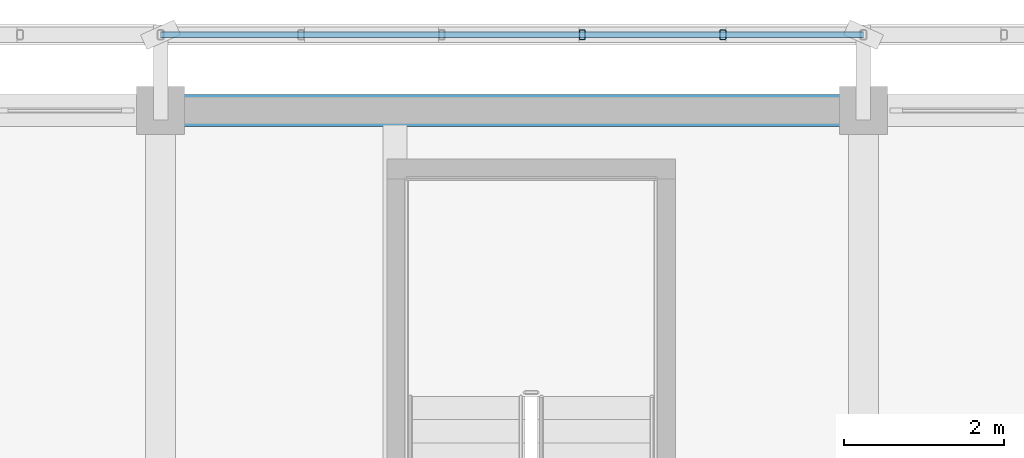
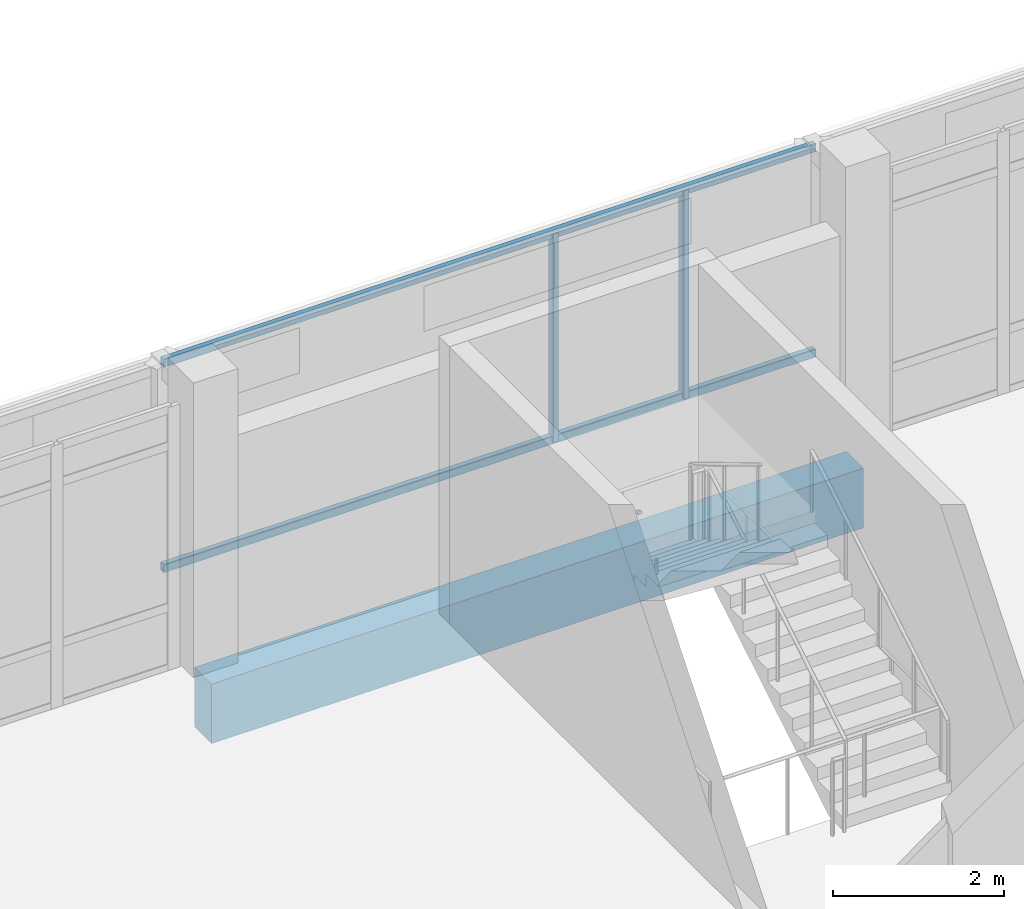
# One storey, part 77 of 137: 4 members, 1 beam.
"""IFC4 building model written with IfcOpenShell, lengths in metres."""

from ifc_helpers import new_model, si_unit, direction, frame, origin, origin_2d, place, context, subcontext, project, spatial, rectangle, hollow_rectangle, extrude, material, material_profile, profile_set, type_object, element, save


model = new_model("IFC4")

# Units and contexts
model_context = context("Model", 3, precision=1e-05, world=origin(), true_north=direction((0.0, 1.0)))
body_context = subcontext(model_context, "Body", "Model", "MODEL_VIEW")
ifc_project = project(units=[si_unit("LENGTHUNIT", "METRE"), si_unit("AREAUNIT", "SQUARE_METRE"), si_unit("VOLUMEUNIT", "CUBIC_METRE"), si_unit("PLANEANGLEUNIT", "RADIAN"), si_unit("MASSUNIT", "GRAM", prefix="KILO")], contexts=[model_context])

# Site, building, storey
site_placement = place(None, origin())
site = spatial("IfcSite", under=ifc_project, at=site_placement, CompositionType="ELEMENT")
building_placement = place(site_placement, origin())
building = spatial("IfcBuilding", under=site, at=building_placement, Name="Cinderway Yard Community Centre", CompositionType="ELEMENT")
storey_placement = place(building_placement, frame((0.0, 0.0, 4.800048828125)))
storey = spatial("IfcBuildingStorey", under=building, at=storey_placement, Name="L01", CompositionType="ELEMENT", Elevation=4.800048828125)

# Members
ifc_material_1 = material(Name="Steel S355", Category="steel")
ifc_material_profile_1 = material_profile(ifc_material_1, hollow_rectangle(XDim=0.080078125, YDim=0.1201171875, WallThickness=0.00634765625, InnerFilletRadius=0.00634765625, OuterFilletRadius=0.0126953125, at=origin_2d()), Name="Steel S355")
ifc_profile_set_1 = profile_set([ifc_material_profile_1], Name="Steel S355")
member_type = type_object("IfcMemberType", Name="ENV-MEM-SCREEN-RAIL-120", PredefinedType="STRINGER", material=ifc_profile_set_1)
for number, where, z_axis, x_axis, name in (
    (1, (128.0, 116.14990234375, 0.7099609375), (1.0, 0.0, 0.0), (0.0, 1.0, 0.0), "Screen support rail 0082-BOT"),
    (2, (128.0, 116.14990234375, 3.639892578125), (1.0, 0.0, 0.0), (0.0, 1.0, 0.0), "Screen support rail 0083-TOP"),
):
    element("IfcMember", number, at=place(storey_placement, frame(where, z_axis=z_axis, x_axis=x_axis)), inside=storey, type_object=member_type, Name=name, PredefinedType="STRINGER", context=body_context, shape_type="SweptSolid", body=[
        extrude(hollow_rectangle(XDim=0.080078125, YDim=0.1201171875, WallThickness=0.00634765625, InnerFilletRadius=0.00634765625, OuterFilletRadius=0.0126953125, at=origin_2d()), origin(), (0.0, 0.0, 1.0), 8.800048828125),
    ])
for number, where, z_axis, x_axis, name in (
    (3, (133.280029296875, 116.14990234375, 0.68994140625), (0.0, 0.0, 1.0), (1.0, 0.0, 0.0), "Screen vertical mullion 0086"),
    (4, (135.0400390625, 116.14990234375, 0.68994140625), (0.0, 0.0, 1.0), (1.0, 0.0, 0.0), "Screen vertical mullion 0087"),
):
    element("IfcMember", number, at=place(storey_placement, frame(where, z_axis=z_axis, x_axis=x_axis)), inside=storey, type_object=member_type, Name=name, PredefinedType="STRINGER", context=body_context, shape_type="SweptSolid", body=[
        extrude(hollow_rectangle(XDim=0.080078125, YDim=0.1201171875, WallThickness=0.00634765625, InnerFilletRadius=0.00634765625, OuterFilletRadius=0.0126953125, at=origin_2d()), origin(), (0.0, 0.0, 1.0), 2.969970703125),
    ])

# Beam
ifc_material_2 = material(Name="Concrete C40/50", Category="concrete")
ifc_material_profile_2 = material_profile(ifc_material_2, rectangle(XDim=0.39990234375, YDim=0.85009765625, at=origin_2d()), Name="Concrete C40/50")
ifc_profile_set_2 = profile_set([ifc_material_profile_2], Name="Concrete C40/50")
beam_type = type_object("IfcBeamType", Name="STR-BM-RC400X850", PredefinedType="BEAM", material=ifc_profile_set_2)
beam_placement = place(storey_placement, frame((128.0, 115.199951171875, -0.68505859375), z_axis=(1.0, 0.0, 0.0), x_axis=(0.0, 1.0, 0.0)))
element("IfcBeam", 5, at=beam_placement, inside=storey, type_object=beam_type, Name="Primary girder STR-BM-L01-BG04-0218", PredefinedType="BEAM", context=body_context, shape_type="SweptSolid", body=[
    extrude(rectangle(XDim=0.39990234375, YDim=0.85009765625, at=origin_2d()), origin(), (0.0, 0.0, 1.0), 8.800048828125),
])

save(model, "model.ifc")
